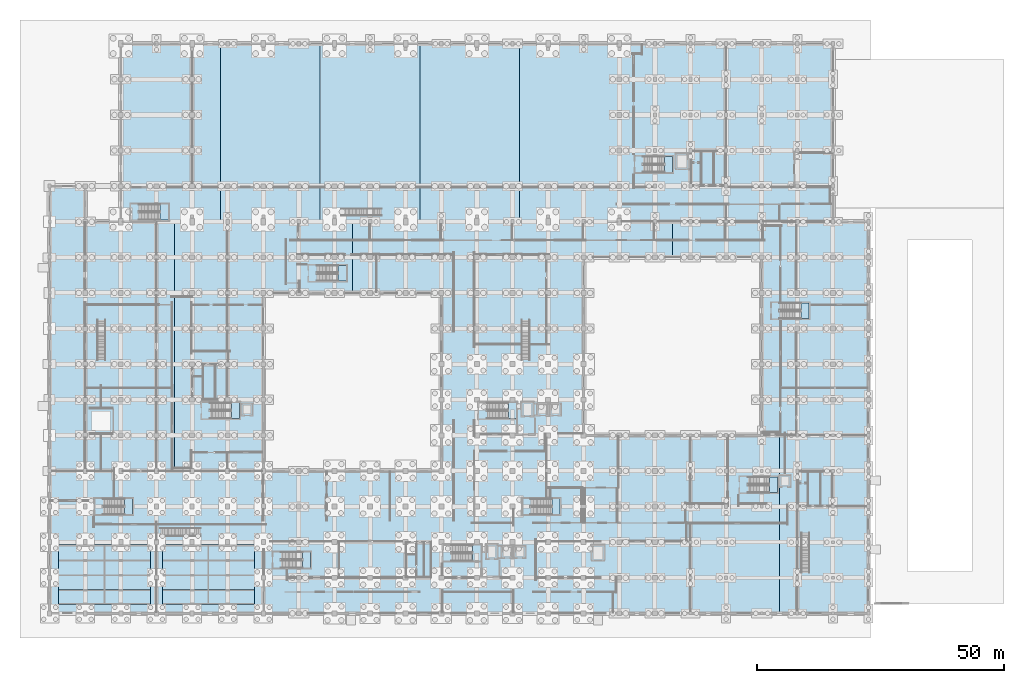
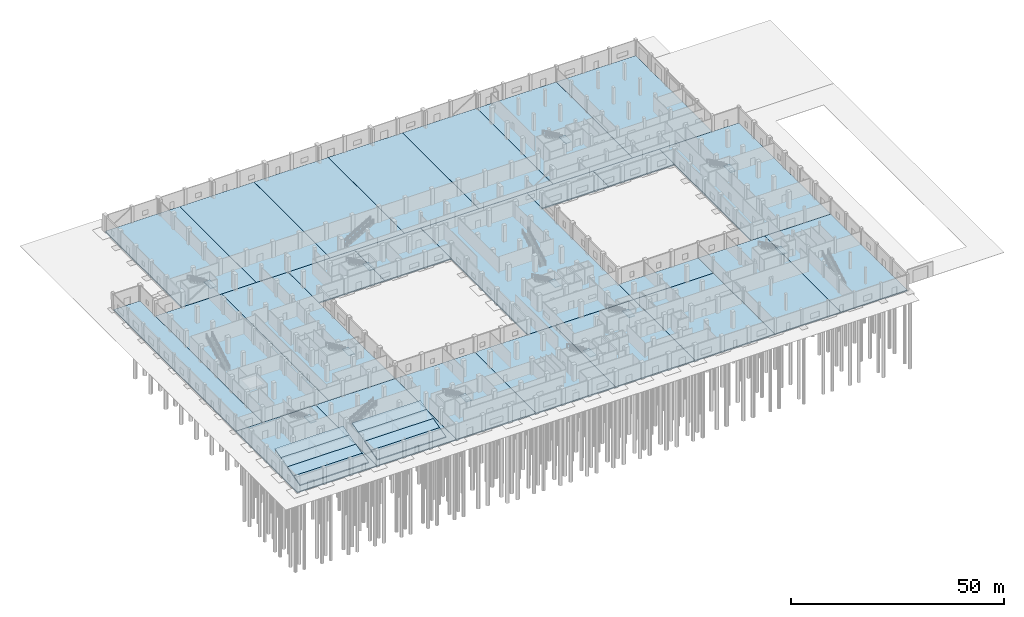
# One storey, part 15 of 48: 44 slabs, 11 elements without a shape of their own.
"""IFC4 building model written with IfcOpenShell, lengths in metres."""

from ifc_helpers import new_model, si_unit, direction, frame, origin, place, context, subcontext, project, spatial, polyline, outline, extrude, material, layer, layer_set, type_object, element, aggregate, save


model = new_model("IFC4")

# Units and contexts
model_context = context("Model", 3, precision=1e-05, world=origin(), true_north=direction((0.0, 1.0)))
body_context = subcontext(model_context, "Body", "Model", "MODEL_VIEW")
ifc_project = project(units=[si_unit("LENGTHUNIT", "METRE"), si_unit("AREAUNIT", "SQUARE_METRE"), si_unit("VOLUMEUNIT", "CUBIC_METRE"), si_unit("PLANEANGLEUNIT", "RADIAN"), si_unit("MASSUNIT", "GRAM", prefix="KILO")], contexts=[model_context])

# Site, building, storey
site_placement = place(None, origin())
site = spatial("IfcSite", under=ifc_project, at=site_placement, CompositionType="ELEMENT")
building_placement = place(site_placement, origin())
building = spatial("IfcBuilding", under=site, at=building_placement, Name="Seraya Terrace Polytechnic", CompositionType="ELEMENT")
storey_placement = place(building_placement, origin())
storey = spatial("IfcBuildingStorey", under=building, at=storey_placement, Name="L00", CompositionType="ELEMENT", Elevation=0.0)

# Slabs
ifc_material = material(Name="Concrete C40/50", Category="concrete")
ifc_layer_1 = layer(ifc_material, 0.419921875, Name="BS-01")
ifc_layer_set_1 = layer_set([ifc_layer_1], Name="Concrete C40/50")
slab_type_1 = type_object("IfcSlabType", Name="BS-01", PredefinedType="BASESLAB", material=ifc_layer_set_1)
slab_1_placement = place(storey_placement, frame((0.0, 0.0, -0.419921875)))
element("IfcSlab", 1, at=slab_1_placement, inside=storey, type_object=slab_type_1, Name="Floor slab SLB-V1-MAIN-L00-S1 (BS-01)", PredefinedType="BASESLAB", context=body_context, shape_type="SweptSolid", body=[
    extrude(outline(polyline([(34.56005859375, 79.199951171875), (34.56005859375, 115.199951171875), (14.39990234375, 115.199951171875), (14.39990234375, 79.199951171875), (34.56005859375, 79.199951171875)])), origin(), (0.0, 0.0, 1.0), 0.419921875),
])
slab_2_placement = place(storey_placement, frame((0.0, 0.0, -0.419921875)))
element("IfcSlab", 2, at=slab_2_placement, inside=storey, type_object=slab_type_1, Name="Floor slab SLB-V1-MAIN-L00-S2 (BS-01)", PredefinedType="BASESLAB", context=body_context, shape_type="SweptSolid", body=[
    extrude(outline(polyline([(54.719970703125, 115.199951171875), (54.719970703125, 79.199951171875), (34.56494140625, 79.199951171875), (34.56494140625, 115.199951171875), (54.719970703125, 115.199951171875)])), origin(), (0.0, 0.0, 1.0), 0.419921875),
])
slab_3_placement = place(storey_placement, frame((0.0, 0.0, -0.419921875)))
element("IfcSlab", 3, at=slab_3_placement, inside=storey, type_object=slab_type_1, Name="Floor slab SLB-V1-MAIN-L00-S3 (BS-01)", PredefinedType="BASESLAB", context=body_context, shape_type="SweptSolid", body=[
    extrude(outline(polyline([(74.8798828125, 115.199951171875), (74.8798828125, 79.199951171875), (54.72509765625, 79.199951171875), (54.72509765625, 115.199951171875), (74.8798828125, 115.199951171875)])), origin(), (0.0, 0.0, 1.0), 0.419921875),
])
slab_4_placement = place(storey_placement, frame((0.0, 0.0, -0.419921875)))
element("IfcSlab", 4, at=slab_4_placement, inside=storey, type_object=slab_type_1, Name="Floor slab SLB-V1-MAIN-L00-S4 (BS-01)", PredefinedType="BASESLAB", context=body_context, shape_type="SweptSolid", body=[
    extrude(outline(polyline([(95.0400390625, 115.199951171875), (95.0400390625, 79.199951171875), (74.885009765625, 79.199951171875), (74.885009765625, 115.199951171875), (95.0400390625, 115.199951171875)])), origin(), (0.0, 0.0, 1.0), 0.419921875),
])
slab_5_placement = place(storey_placement, frame((0.0, 0.0, -0.419921875)))
element("IfcSlab", 5, at=slab_5_placement, inside=storey, type_object=slab_type_1, Name="Floor slab SLB-V1-MAIN-L00-S5 (BS-01)", PredefinedType="BASESLAB", context=body_context, shape_type="SweptSolid", body=[
    extrude(outline(polyline([(115.199951171875, 115.199951171875), (115.199951171875, 79.199951171875), (95.044921875, 79.199951171875), (95.044921875, 115.199951171875), (115.199951171875, 115.199951171875)])), origin(), (0.0, 0.0, 1.0), 0.419921875),
])
ifc_layer_2 = layer(ifc_material, 0.3798828125, Name="BS-02")
ifc_layer_set_2 = layer_set([ifc_layer_2], Name="Concrete C40/50")
slab_type_2 = type_object("IfcSlabType", Name="BS-02", PredefinedType="BASESLAB", material=ifc_layer_set_2)
slab_6_placement = place(storey_placement, frame((0.0, 0.0, -0.3798828125)))
element("IfcSlab", 6, at=slab_6_placement, inside=storey, type_object=slab_type_2, Name="Floor slab SLB-V1-ANNEX-L00-S1 (BS-02)", PredefinedType="BASESLAB", context=body_context, shape_type="SweptSolid", body=[
    extrude(outline(polyline([(136.800048828125, 115.199951171875), (136.800048828125, 79.199951171875), (115.205078125, 79.199951171875), (115.205078125, 115.199951171875), (136.800048828125, 115.199951171875)])), origin(), (0.0, 0.0, 1.0), 0.3798828125),
])
slab_7_placement = place(storey_placement, frame((0.0, 0.0, -0.3798828125)))
element("IfcSlab", 7, at=slab_7_placement, inside=storey, type_object=slab_type_2, Name="Floor slab SLB-V1-ANNEX-L00-S2 (BS-02)", PredefinedType="BASESLAB", context=body_context, shape_type="SweptSolid", body=[
    extrude(outline(polyline([(158.39990234375, 115.199951171875), (158.39990234375, 79.199951171875), (136.804931640625, 79.199951171875), (136.804931640625, 115.199951171875), (158.39990234375, 115.199951171875)])), origin(), (0.0, 0.0, 1.0), 0.3798828125),
])
ifc_layer_3 = layer(ifc_material, 0.35009765625, Name="BS-03")
ifc_layer_set_3 = layer_set([ifc_layer_3], Name="Concrete C40/50")
slab_type_3 = type_object("IfcSlabType", Name="BS-03", PredefinedType="BASESLAB", material=ifc_layer_set_3)
slab_8_placement = place(storey_placement, frame((0.0, 0.0, -0.35009765625)))
element("IfcSlab", 8, at=slab_8_placement, inside=storey, type_object=slab_type_3, Name="Floor slab SLB-V2-SOUTH-L00-S1 (BS-03)", PredefinedType="BASESLAB", context=body_context, shape_type="SweptSolid", body=[
    extrude(outline(polyline([(43.199951171875, 0.0), (43.199951171875, 28.800048828125), (64.800048828125, 28.800048828125), (64.800048828125, 0.0), (43.199951171875, 0.0)])), origin(), (0.0, 0.0, 1.0), 0.35009765625),
])
slab_9_placement = place(storey_placement, frame((0.0, 0.0, -0.35009765625)))
element("IfcSlab", 9, at=slab_9_placement, inside=storey, type_object=slab_type_3, Name="Floor slab SLB-V2-SOUTH-L00-S2 (BS-03)", PredefinedType="BASESLAB", context=body_context, shape_type="SweptSolid", body=[
    extrude(outline(polyline([(86.39990234375, 28.800048828125), (86.39990234375, 0.0), (64.804931640625, 0.0), (64.804931640625, 28.800048828125), (86.39990234375, 28.800048828125)])), origin(), (0.0, 0.0, 1.0), 0.35009765625),
])
slab_10_placement = place(storey_placement, frame((0.0, 0.0, -0.35009765625)))
element("IfcSlab", 10, at=slab_10_placement, inside=storey, type_object=slab_type_3, Name="Floor slab SLB-V2-SOUTH-L00-S3 (BS-03)", PredefinedType="BASESLAB", context=body_context, shape_type="SweptSolid", body=[
    extrude(outline(polyline([(108.0, 28.800048828125), (108.0, 0.0), (86.405029296875, 0.0), (86.405029296875, 28.800048828125), (108.0, 28.800048828125)])), origin(), (0.0, 0.0, 1.0), 0.35009765625),
])
slab_11_placement = place(storey_placement, frame((0.0, 0.0, -0.35009765625)))
element("IfcSlab", 11, at=slab_11_placement, inside=storey, type_object=slab_type_3, Name="Floor slab SLB-V2-SOUTH-L00-S4 (BS-03)", PredefinedType="BASESLAB", context=body_context, shape_type="SweptSolid", body=[
    extrude(outline(polyline([(129.60009765625, 28.800048828125), (129.60009765625, 0.0), (108.0048828125, 0.0), (108.0048828125, 28.800048828125), (129.60009765625, 28.800048828125)])), origin(), (0.0, 0.0, 1.0), 0.35009765625),
])
slab_12_placement = place(storey_placement, frame((0.0, 0.0, -0.35009765625)))
element("IfcSlab", 12, at=slab_12_placement, inside=storey, type_object=slab_type_3, Name="Floor slab SLB-V2-SELINK-L00-S1 (BS-03)", PredefinedType="BASESLAB", context=body_context, shape_type="SweptSolid", body=[
    extrude(outline(polyline([(108.0, 36.0), (129.60009765625, 36.0), (129.60009765625, 28.804931640625), (108.0, 28.804931640625), (108.0, 36.0)])), origin(), (0.0, 0.0, 1.0), 0.35009765625),
])
ifc_layer_4 = layer(ifc_material, 0.340087890625, Name="BS-04")
ifc_layer_set_4 = layer_set([ifc_layer_4], Name="Concrete C40/50")
slab_type_4 = type_object("IfcSlabType", Name="BS-04", PredefinedType="BASESLAB", material=ifc_layer_set_4)
slab_13_placement = place(storey_placement, frame((0.0, 0.0, -0.340087890625)))
element("IfcSlab", 13, at=slab_13_placement, inside=storey, type_object=slab_type_4, Name="Floor slab SLB-V2-WEST-L00-S1 (BS-04)", PredefinedType="BASESLAB", context=body_context, shape_type="SweptSolid", body=[
    extrude(outline(polyline([(25.199951171875, 28.800048828125), (7.199951171875, 28.800048828125), (7.199951171875, 79.199951171875), (25.199951171875, 79.195068359375), (25.199951171875, 28.800048828125)])), origin(), (0.0, 0.0, 1.0), 0.340087890625),
])
slab_14_placement = place(storey_placement, frame((0.0, 0.0, -0.340087890625)))
element("IfcSlab", 14, at=slab_14_placement, inside=storey, type_object=slab_type_4, Name="Floor slab SLB-V2-WEST-L00-S2 (BS-04)", PredefinedType="BASESLAB", context=body_context, shape_type="SweptSolid", body=[
    extrude(outline(polyline([(43.199951171875, 28.804931640625), (25.205078125, 28.800048828125), (25.205078125, 79.195068359375), (43.199951171875, 79.195068359375), (43.199951171875, 28.804931640625)])), origin(), (0.0, 0.0, 1.0), 0.340087890625),
])
slab_15_placement = place(storey_placement, frame((0.0, 0.0, -0.340087890625)))
element("IfcSlab", 15, at=slab_15_placement, inside=storey, type_object=slab_type_4, Name="Floor slab SLB-V2-SPINE-L00-S1 (BS-04)", PredefinedType="BASESLAB", context=body_context, shape_type="SweptSolid", body=[
    extrude(outline(polyline([(108.0, 79.195068359375), (107.9951171875, 28.804931640625), (79.199951171875, 28.804931640625), (79.199951171875, 79.195068359375), (108.0, 79.195068359375)])), origin(), (0.0, 0.0, 1.0), 0.340087890625),
])
slab_16_placement = place(storey_placement, frame((0.0, 0.0, -0.340087890625)))
element("IfcSlab", 16, at=slab_16_placement, inside=storey, type_object=slab_type_4, Name="Floor slab SLB-V2-NWRIM-L00-S1 (BS-04)", PredefinedType="BASESLAB", context=body_context, shape_type="SweptSolid", body=[
    extrude(outline(polyline([(61.199951171875, 64.800048828125), (43.205078125, 64.800048828125), (43.205078125, 79.195068359375), (61.199951171875, 79.195068359375), (61.199951171875, 64.800048828125)])), origin(), (0.0, 0.0, 1.0), 0.340087890625),
])
slab_17_placement = place(storey_placement, frame((0.0, 0.0, -0.340087890625)))
element("IfcSlab", 17, at=slab_17_placement, inside=storey, type_object=slab_type_4, Name="Floor slab SLB-V2-NWRIM-L00-S2 (BS-04)", PredefinedType="BASESLAB", context=body_context, shape_type="SweptSolid", body=[
    extrude(outline(polyline([(61.205078125, 64.800048828125), (61.205078125, 79.195068359375), (79.195068359375, 79.195068359375), (79.195068359375, 64.800048828125), (61.205078125, 64.800048828125)])), origin(), (0.0, 0.0, 1.0), 0.340087890625),
])
slab_18_placement = place(storey_placement, frame((0.0, 0.0, -0.340087890625)))
element("IfcSlab", 18, at=slab_18_placement, inside=storey, type_object=slab_type_4, Name="Floor slab SLB-V2-NERIM-L00-S1 (BS-04)", PredefinedType="BASESLAB", context=body_context, shape_type="SweptSolid", body=[
    extrude(outline(polyline([(126.0, 72.0), (108.00439453125, 72.0), (108.0048828125, 79.195068359375), (126.0, 79.195068359375), (126.0, 72.0)])), origin(), (0.0, 0.0, 1.0), 0.340087890625),
])
slab_19_placement = place(storey_placement, frame((0.0, 0.0, -0.340087890625)))
element("IfcSlab", 19, at=slab_19_placement, inside=storey, type_object=slab_type_4, Name="Floor slab SLB-V2-NERIM-L00-S2 (BS-04)", PredefinedType="BASESLAB", context=body_context, shape_type="SweptSolid", body=[
    extrude(outline(polyline([(144.0, 72.0), (126.0048828125, 72.0), (126.0048828125, 79.195068359375), (144.0, 79.195068359375), (144.0, 72.0)])), origin(), (0.0, 0.0, 1.0), 0.340087890625),
])
ifc_layer_5 = layer(ifc_material, 0.330078125, Name="BS-05")
ifc_layer_set_5 = layer_set([ifc_layer_5], Name="Concrete C40/50")
slab_type_5 = type_object("IfcSlabType", Name="BS-05", PredefinedType="BASESLAB", material=ifc_layer_set_5)
slab_20_placement = place(storey_placement, frame((0.0, 0.0, -0.330078125)))
element("IfcSlab", 20, at=slab_20_placement, inside=storey, type_object=slab_type_5, Name="Floor slab SLB-V2-EAST-L00-S1 (BS-05)", PredefinedType="BASESLAB", context=body_context, shape_type="SweptSolid", body=[
    extrude(outline(polyline([(165.60009765625, 79.199951171875), (165.60009765625, 36.0), (144.0, 36.0), (144.0048828125, 79.195068359375), (165.60009765625, 79.199951171875)])), origin(), (0.0, 0.0, 1.0), 0.330078125),
])
ifc_layer_6 = layer(ifc_material, 0.320068359375, Name="BS-06")
ifc_layer_set_6 = layer_set([ifc_layer_6], Name="Concrete C40/50")
slab_type_6 = type_object("IfcSlabType", Name="BS-06", PredefinedType="BASESLAB", material=ifc_layer_set_6)
slab_21_placement = place(storey_placement, frame((0.0, 0.0, -0.320068359375)))
element("IfcSlab", 21, at=slab_21_placement, inside=storey, type_object=slab_type_6, Name="Floor slab SLB-V3-LECT-L00-S1 (BS-06)", PredefinedType="BASESLAB", context=body_context, shape_type="SweptSolid", body=[
    extrude(outline(polyline([(21.60009765625, 0.0), (0.0, 0.0), (0.0, 28.800048828125), (21.60009765625, 28.794921875), (21.60009765625, 0.0)])), origin(), (0.0, 0.0, 1.0), 0.320068359375),
])
slab_22_placement = place(storey_placement, frame((0.0, 0.0, -0.320068359375)))
element("IfcSlab", 22, at=slab_22_placement, inside=storey, type_object=slab_type_6, Name="Floor slab SLB-V3-LECT-L00-S2 (BS-06)", PredefinedType="BASESLAB", context=body_context, shape_type="SweptSolid", body=[
    extrude(outline(polyline([(21.60498046875, 0.0), (21.60498046875, 28.794921875), (43.195068359375, 28.800048828125), (43.195068359375, 0.0), (21.60498046875, 0.0)])), origin(), (0.0, 0.0, 1.0), 0.320068359375),
])
ifc_layer_7 = layer(ifc_material, 0.300048828125, Name="BS-07")
ifc_layer_set_7 = layer_set([ifc_layer_7], Name="Concrete C40/50")
slab_type_7 = type_object("IfcSlabType", Name="BS-07", PredefinedType="BASESLAB", material=ifc_layer_set_7)
slab_23_placement = place(storey_placement, frame((0.0, 0.0, -0.300048828125)))
element("IfcSlab", 23, at=slab_23_placement, inside=storey, type_object=slab_type_7, Name="Floor slab SLB-V4-UNION-L00-S1 (BS-07)", PredefinedType="BASESLAB", context=body_context, shape_type="SweptSolid", body=[
    extrude(outline(polyline([(147.60009765625, 0.0), (129.60498046875, 0.0), (129.60498046875, 36.0), (147.60009765625, 35.9951171875), (147.60009765625, 0.0)])), origin(), (0.0, 0.0, 1.0), 0.300048828125),
])
slab_24_placement = place(storey_placement, frame((0.0, 0.0, -0.300048828125)))
element("IfcSlab", 24, at=slab_24_placement, inside=storey, type_object=slab_type_7, Name="Floor slab SLB-V4-UNION-L00-S2 (BS-07)", PredefinedType="BASESLAB", context=body_context, shape_type="SweptSolid", body=[
    extrude(outline(polyline([(165.60009765625, 0.0), (147.60498046875, 0.0), (147.60498046875, 35.9951171875), (165.60009765625, 35.9951171875), (165.60009765625, 0.0)])), origin(), (0.0, 0.0, 1.0), 0.300048828125),
])
ifc_layer_8 = layer(ifc_material, 0.280029296875, Name="BS-08")
ifc_layer_set_8 = layer_set([ifc_layer_8], Name="Concrete C40/50")
slab_type_8 = type_object("IfcSlabType", Name="BS-08", PredefinedType="BASESLAB", material=ifc_layer_set_8)
slab_25_placement = place(storey_placement, frame((0.0, 0.0, -0.280029296875)))
element("IfcSlab", 25, at=slab_25_placement, inside=storey, type_object=slab_type_8, Name="Floor slab SLB-V5-COL-L00-S1 (BS-08)", PredefinedType="BASESLAB", context=body_context, shape_type="SweptSolid", body=[
    extrude(outline(polyline([(0.0, 86.39990234375), (7.199951171875, 86.39990234375), (7.195068359375, 28.80322265625), (0.0, 28.804931640625), (0.0, 86.39990234375)])), origin(), (0.0, 0.0, 1.0), 0.280029296875),
])

# Stair, slab
stair_type = type_object("IfcStairType", Name="ST-T1", PredefinedType="HALF_TURN_STAIR", material=ifc_material)
stair_1_placement = place(storey_placement, origin())
stair_1 = element("IfcStair", 26, at=stair_1_placement, inside=storey, type_object=stair_type, Name="L00 Protected exit stair ST-01", PredefinedType="HALF_TURN_STAIR")
ifc_layer_9 = layer(ifc_material, 0.199951171875, Name="SL-01")
ifc_layer_set_9 = layer_set([ifc_layer_9], Name="Concrete C40/50")
slab_type_9 = type_object("IfcSlabType", Name="SL-01", PredefinedType="LANDING", material=ifc_layer_set_9)
slab_26_placement = place(storey_placement, frame((0.0, 0.0, 2.199951171875)))
slab_26 = element("IfcSlab", 27, at=slab_26_placement, type_object=slab_type_9, Name="ST-01 landing 1", PredefinedType="LANDING", context=body_context, shape_type="SweptSolid", body=[
    extrude(outline(polyline([(85.550048828125, 10.60009765625), (87.199951171875, 10.60009765625), (87.199951171875, 13.800048828125), (85.550048828125, 13.800048828125), (85.550048828125, 10.60009765625)])), origin(), (0.0, 0.0, 1.0), 0.199951171875),
])
aggregate(stair_1, [slab_26])

stair_2_placement = place(storey_placement, origin())
stair_2 = element("IfcStair", 28, at=stair_2_placement, inside=storey, type_object=stair_type, Name="L00 Protected exit stair ST-02", PredefinedType="HALF_TURN_STAIR")
slab_27_placement = place(storey_placement, frame((0.0, 0.0, 2.199951171875)))
slab_27 = element("IfcSlab", 29, at=slab_27_placement, type_object=slab_type_9, Name="ST-02 landing 1", PredefinedType="LANDING", context=body_context, shape_type="SweptSolid", body=[
    extrude(outline(polyline([(92.75, 39.39990234375), (94.39990234375, 39.39990234375), (94.39990234375, 42.60009765625), (92.75, 42.60009765625), (92.75, 39.39990234375)])), origin(), (0.0, 0.0, 1.0), 0.199951171875),
])
aggregate(stair_2, [slab_27])

stair_3_placement = place(storey_placement, origin())
stair_3 = element("IfcStair", 30, at=stair_3_placement, inside=storey, type_object=stair_type, Name="L00 Protected exit stair ST-03", PredefinedType="HALF_TURN_STAIR")
slab_28_placement = place(storey_placement, frame((0.0, 0.0, 2.199951171875)))
slab_28 = element("IfcSlab", 31, at=slab_28_placement, type_object=slab_type_9, Name="ST-03 landing 1", PredefinedType="LANDING", context=body_context, shape_type="SweptSolid", body=[
    extrude(outline(polyline([(51.14990234375, 9.199951171875), (52.800048828125, 9.199951171875), (52.800048828125, 12.39990234375), (51.14990234375, 12.39990234375), (51.14990234375, 9.199951171875)])), origin(), (0.0, 0.0, 1.0), 0.199951171875),
])
aggregate(stair_3, [slab_28])

stair_4_placement = place(storey_placement, origin())
stair_4 = element("IfcStair", 32, at=stair_4_placement, inside=storey, type_object=stair_type, Name="L00 Protected exit stair ST-04", PredefinedType="HALF_TURN_STAIR")
slab_29_placement = place(storey_placement, frame((0.0, 0.0, 2.199951171875)))
slab_29 = element("IfcSlab", 33, at=slab_29_placement, type_object=slab_type_9, Name="ST-04 landing 1", PredefinedType="LANDING", context=body_context, shape_type="SweptSolid", body=[
    extrude(outline(polyline([(36.75, 39.39990234375), (38.39990234375, 39.39990234375), (38.39990234375, 42.60009765625), (36.75, 42.60009765625), (36.75, 39.39990234375)])), origin(), (0.0, 0.0, 1.0), 0.199951171875),
])
aggregate(stair_4, [slab_29])

stair_5_placement = place(storey_placement, origin())
stair_5 = element("IfcStair", 34, at=stair_5_placement, inside=storey, type_object=stair_type, Name="L00 Protected exit stair ST-05", PredefinedType="HALF_TURN_STAIR")
slab_30_placement = place(storey_placement, frame((0.0, 0.0, 2.199951171875)))
slab_30 = element("IfcSlab", 35, at=slab_30_placement, type_object=slab_type_9, Name="ST-05 landing 1", PredefinedType="LANDING", context=body_context, shape_type="SweptSolid", body=[
    extrude(outline(polyline([(101.60009765625, 20.0), (103.25, 20.0), (103.25, 23.199951171875), (101.60009765625, 23.199951171875), (101.60009765625, 20.0)])), origin(), (0.0, 0.0, 1.0), 0.199951171875),
])
aggregate(stair_5, [slab_30])

stair_6_placement = place(storey_placement, origin())
stair_6 = element("IfcStair", 36, at=stair_6_placement, inside=storey, type_object=stair_type, Name="L00 Protected exit stair ST-06", PredefinedType="HALF_TURN_STAIR")
slab_31_placement = place(storey_placement, frame((0.0, 0.0, 2.199951171875)))
slab_31 = element("IfcSlab", 37, at=slab_31_placement, type_object=slab_type_9, Name="ST-06 landing 1", PredefinedType="LANDING", context=body_context, shape_type="SweptSolid", body=[
    extrude(outline(polyline([(58.35009765625, 67.199951171875), (60.0, 67.199951171875), (60.0, 70.39990234375), (58.35009765625, 70.39990234375), (58.35009765625, 67.199951171875)])), origin(), (0.0, 0.0, 1.0), 0.199951171875),
])
aggregate(stair_6, [slab_31])

stair_7_placement = place(storey_placement, origin())
stair_7 = element("IfcStair", 38, at=stair_7_placement, inside=storey, type_object=stair_type, Name="L00 Protected exit stair ST-07", PredefinedType="HALF_TURN_STAIR")
slab_32_placement = place(storey_placement, frame((0.0, 0.0, 2.199951171875)))
slab_32 = element("IfcSlab", 39, at=slab_32_placement, type_object=slab_type_9, Name="ST-07 landing 1", PredefinedType="LANDING", context=body_context, shape_type="SweptSolid", body=[
    extrude(outline(polyline([(22.35009765625, 79.550048828125), (24.0, 79.550048828125), (24.0, 82.75), (22.35009765625, 82.75), (22.35009765625, 79.550048828125)])), origin(), (0.0, 0.0, 1.0), 0.199951171875),
])
aggregate(stair_7, [slab_32])

stair_8_placement = place(storey_placement, origin())
stair_8 = element("IfcStair", 40, at=stair_8_placement, inside=storey, type_object=stair_type, Name="L00 Protected exit stair ST-08", PredefinedType="HALF_TURN_STAIR")
slab_33_placement = place(storey_placement, frame((0.0, 0.0, 2.199951171875)))
slab_33 = element("IfcSlab", 41, at=slab_33_placement, type_object=slab_type_9, Name="ST-08 landing 1", PredefinedType="LANDING", context=body_context, shape_type="SweptSolid", body=[
    extrude(outline(polyline([(124.35009765625, 89.199951171875), (126.0, 89.199951171875), (126.0, 92.39990234375), (124.35009765625, 92.39990234375), (124.35009765625, 89.199951171875)])), origin(), (0.0, 0.0, 1.0), 0.199951171875),
])
aggregate(stair_8, [slab_33])

stair_9_placement = place(storey_placement, origin())
stair_9 = element("IfcStair", 42, at=stair_9_placement, inside=storey, type_object=stair_type, Name="L00 Protected exit stair ST-09", PredefinedType="HALF_TURN_STAIR")
slab_34_placement = place(storey_placement, frame((0.0, 0.0, 2.199951171875)))
slab_34 = element("IfcSlab", 43, at=slab_34_placement, type_object=slab_type_9, Name="ST-09 landing 1", PredefinedType="LANDING", context=body_context, shape_type="SweptSolid", body=[
    extrude(outline(polyline([(15.14990234375, 20.0), (16.800048828125, 20.0), (16.800048828125, 23.199951171875), (15.14990234375, 23.199951171875), (15.14990234375, 20.0)])), origin(), (0.0, 0.0, 1.0), 0.199951171875),
])
aggregate(stair_9, [slab_34])

stair_10_placement = place(storey_placement, origin())
stair_10 = element("IfcStair", 44, at=stair_10_placement, inside=storey, type_object=stair_type, Name="L00 Protected exit stair ST-10", PredefinedType="HALF_TURN_STAIR")
slab_35_placement = place(storey_placement, frame((0.0, 0.0, 2.199951171875)))
slab_35 = element("IfcSlab", 45, at=slab_35_placement, type_object=slab_type_9, Name="ST-10 landing 1", PredefinedType="LANDING", context=body_context, shape_type="SweptSolid", body=[
    extrude(outline(polyline([(145.550048828125, 24.39990234375), (147.199951171875, 24.39990234375), (147.199951171875, 27.60009765625), (145.550048828125, 27.60009765625), (145.550048828125, 24.39990234375)])), origin(), (0.0, 0.0, 1.0), 0.199951171875),
])
aggregate(stair_10, [slab_35])

stair_11_placement = place(storey_placement, origin())
stair_11 = element("IfcStair", 46, at=stair_11_placement, inside=storey, type_object=stair_type, Name="L00 Protected exit stair ST-11", PredefinedType="HALF_TURN_STAIR")
slab_36_placement = place(storey_placement, frame((0.0, 0.0, 2.199951171875)))
slab_36 = element("IfcSlab", 47, at=slab_36_placement, type_object=slab_type_9, Name="ST-11 landing 1", PredefinedType="LANDING", context=body_context, shape_type="SweptSolid", body=[
    extrude(outline(polyline([(151.949951171875, 59.60009765625), (153.60009765625, 59.60009765625), (153.60009765625, 62.800048828125), (151.949951171875, 62.800048828125), (151.949951171875, 59.60009765625)])), origin(), (0.0, 0.0, 1.0), 0.199951171875),
])
aggregate(stair_11, [slab_36])

# Slabs
ifc_layer_10 = layer(ifc_material, 0.219970703125, Name="SR-01")
ifc_layer_set_10 = layer_set([ifc_layer_10], Name="Concrete C40/50")
slab_type_10 = type_object("IfcSlabType", Name="SR-01", PredefinedType="USERDEFINED", material=ifc_layer_set_10)
slab_37_placement = place(storey_placement, frame((1.800048828125, 1.800048828125, 0.300048828125), z_axis=(0.0, -0.25767733287, 0.966231024199), x_axis=(1.0, 0.0, 0.0)))
element("IfcSlab", 48, at=slab_37_placement, inside=storey, type_object=slab_type_10, Name="Raked lecture seating tier LT1 bank 1", ObjectType="SEATING_TIER", PredefinedType="USERDEFINED", context=body_context, shape_type="SweptSolid", body=[
    extrude(outline(polyline([(0.0, 0.0), (18.599853515625, 0.0), (18.599853515625, 3.10484752079457), (0.0, 3.10484752079457), (0.0, 0.0)])), origin(), (0.0, 0.0, -1.0), 0.219970703125),
])
slab_38_placement = place(storey_placement, frame((1.800048828125, 4.800048828125, 1.10009765625), z_axis=(0.0, -0.257603919539, 0.966250599295), x_axis=(1.0, 0.0, 0.0)))
element("IfcSlab", 49, at=slab_38_placement, inside=storey, type_object=slab_type_10, Name="Raked lecture seating tier LT1 bank 2", ObjectType="SEATING_TIER", PredefinedType="USERDEFINED", context=body_context, shape_type="SweptSolid", body=[
    extrude(outline(polyline([(0.0, 0.0), (18.599853515625, 0.0), (18.599853515625, 3.104784620250972), (0.0, 3.104784620250972), (0.0, 0.0)])), origin(), (0.0, 0.0, -1.0), 0.219970703125),
])
for number, where, z_axis, x_axis, name in (
    (50, (1.800048828125, 7.800048828125, 1.89990234375), (0.0, -0.25767733287, 0.966231024199), (1.0, 0.0, 0.0), "Raked lecture seating tier LT1 bank 3"),
    (51, (1.800048828125, 10.800048828125, 2.699951171875), (0.0, -0.25767733287, 0.966231024199), (1.0, 0.0, 0.0), "Raked lecture seating tier LT1 bank 4"),
    (52, (22.800048828125, 1.800048828125, 0.300048828125), (0.0, -0.25767733287, 0.966231024199), (1.0, 0.0, 0.0), "Raked lecture seating tier LT2 bank 1"),
):
    element("IfcSlab", number, at=place(storey_placement, frame(where, z_axis=z_axis, x_axis=x_axis)), inside=storey, type_object=slab_type_10, Name=name, ObjectType="SEATING_TIER", PredefinedType="USERDEFINED", context=body_context, shape_type="SweptSolid", body=[
        extrude(outline(polyline([(0.0, 0.0), (18.599853515625, 0.0), (18.599853515625, 3.10484752079457), (0.0, 3.10484752079457), (0.0, 0.0)])), origin(), (0.0, 0.0, -1.0), 0.219970703125),
    ])
slab_39_placement = place(storey_placement, frame((22.800048828125, 4.800048828125, 1.10009765625), z_axis=(0.0, -0.257603919539, 0.966250599295), x_axis=(1.0, 0.0, 0.0)))
element("IfcSlab", 53, at=slab_39_placement, inside=storey, type_object=slab_type_10, Name="Raked lecture seating tier LT2 bank 2", ObjectType="SEATING_TIER", PredefinedType="USERDEFINED", context=body_context, shape_type="SweptSolid", body=[
    extrude(outline(polyline([(0.0, 0.0), (18.599853515625, 0.0), (18.599853515625, 3.104784620250972), (0.0, 3.104784620250972), (0.0, 0.0)])), origin(), (0.0, 0.0, -1.0), 0.219970703125),
])
for number, where, z_axis, x_axis, name in (
    (54, (22.800048828125, 7.800048828125, 1.89990234375), (0.0, -0.25767733287, 0.966231024199), (1.0, 0.0, 0.0), "Raked lecture seating tier LT2 bank 3"),
    (55, (22.800048828125, 10.800048828125, 2.699951171875), (0.0, -0.25767733287, 0.966231024199), (1.0, 0.0, 0.0), "Raked lecture seating tier LT2 bank 4"),
):
    element("IfcSlab", number, at=place(storey_placement, frame(where, z_axis=z_axis, x_axis=x_axis)), inside=storey, type_object=slab_type_10, Name=name, ObjectType="SEATING_TIER", PredefinedType="USERDEFINED", context=body_context, shape_type="SweptSolid", body=[
        extrude(outline(polyline([(0.0, 0.0), (18.599853515625, 0.0), (18.599853515625, 3.10484752079457), (0.0, 3.10484752079457), (0.0, 0.0)])), origin(), (0.0, 0.0, -1.0), 0.219970703125),
    ])

save(model, "model.ifc")
